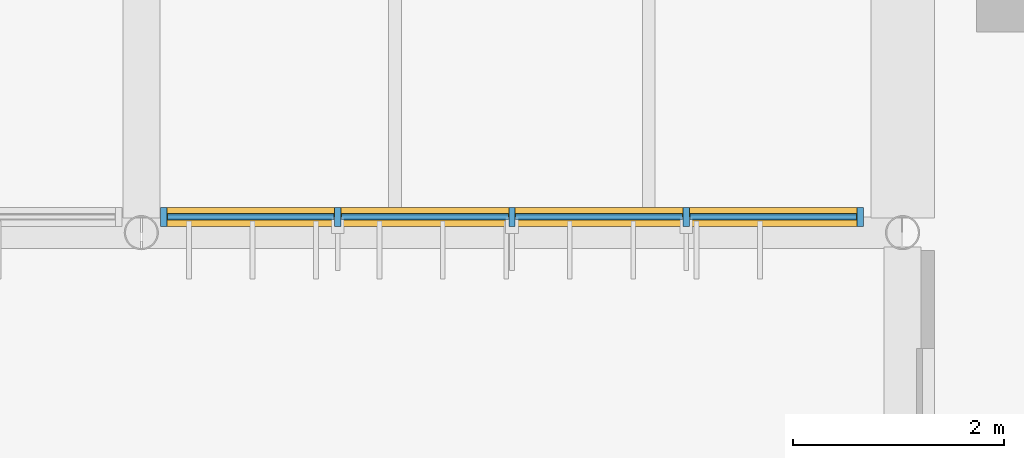
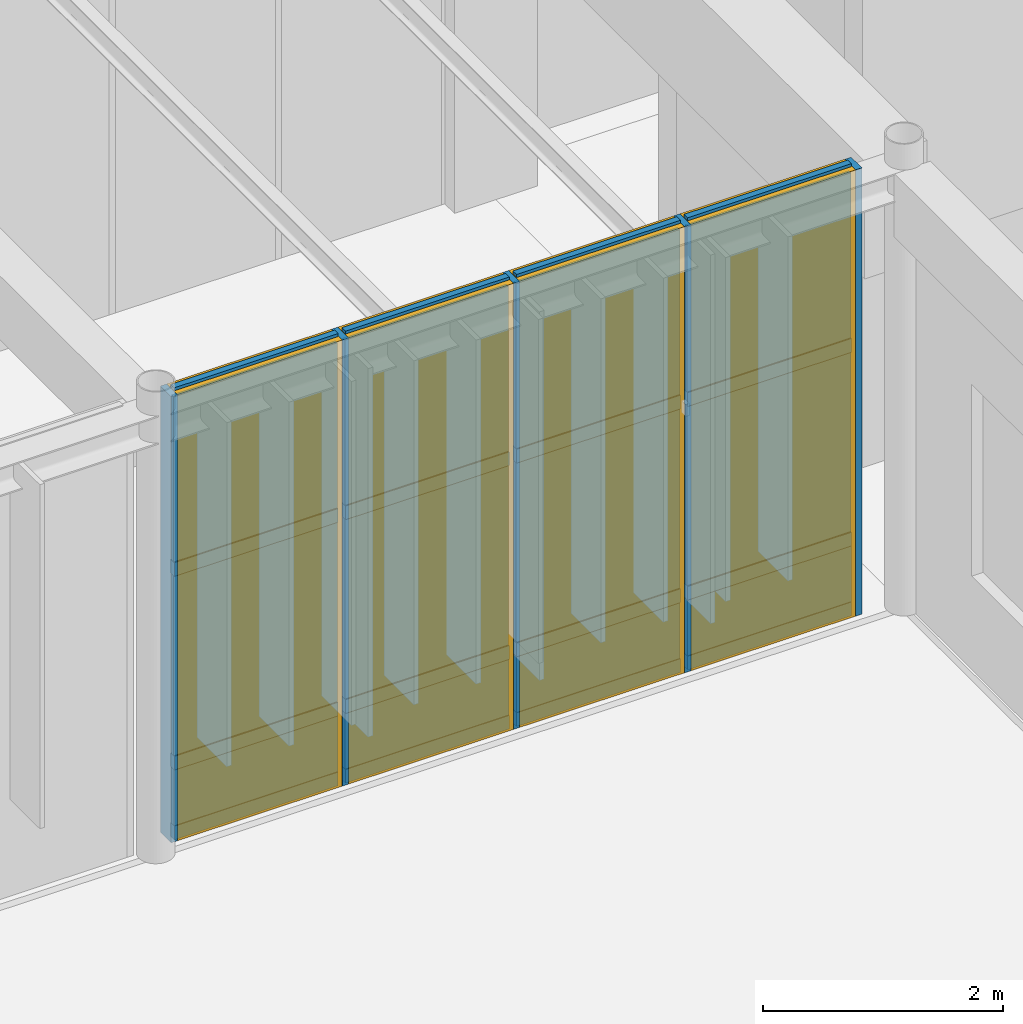
# One storey, part 73 of 122: 21 members, 12 plates, 1 curtain wall.
"""IFC4 building model written with IfcOpenShell, lengths in metres."""

from ifc_helpers import new_model, si_unit, direction, frame, frame_2d, origin, origin_2d, place, context, subcontext, project, spatial, rectangle, extrude, material, layer, layer_set, material_profile, profile_set, type_object, element, aggregate, save


model = new_model("IFC4")

# Units and contexts
model_context = context("Model", 3, precision=1e-05, world=origin(), true_north=direction((0.0, 1.0)))
body_context = subcontext(model_context, "Body", "Model", "MODEL_VIEW")
ifc_project = project(units=[si_unit("LENGTHUNIT", "METRE"), si_unit("AREAUNIT", "SQUARE_METRE"), si_unit("VOLUMEUNIT", "CUBIC_METRE"), si_unit("PLANEANGLEUNIT", "RADIAN"), si_unit("MASSUNIT", "GRAM", prefix="KILO")], contexts=[model_context])

# Member
ifc_material_1 = material(Name="Anodised Bronze Aluminium 6063-T6", Category="aluminium")
ifc_material_profile_1 = material_profile(ifc_material_1, rectangle(XDim=0.06005859375, YDim=0.179931640625, at=origin_2d()), Name="ALU MULLION 60x180")
ifc_profile_set_1 = profile_set([ifc_material_profile_1], Name="Anodised Bronze Aluminium 6063-T6")
member_type_1 = type_object("IfcMemberType", Name="Curtain-Wall Primary Mullion 60x180", PredefinedType="MULLION", material=ifc_profile_set_1)
site_placement = place(None, origin())
building_placement = place(site_placement, origin())
storey_placement = place(building_placement, origin())
member_1_placement = place(storey_placement, frame((50.612060546875, 44.75, 0.0), z_axis=(0.0, 0.0, 1.0), x_axis=(1.0, 0.0, 0.0)))
member_1 = element("IfcMember", 1, at=member_1_placement, type_object=member_type_1, Name="Mullion CWM-01 CW-WLNK-S-L00-B4-M01", PredefinedType="MULLION", context=body_context, shape_type="SweptSolid", body=[
    extrude(rectangle(XDim=0.06005859375, YDim=0.179931640625, at=origin_2d()), origin(), (0.0, 0.0, 1.0), 4.5400390625),
])

member_2_placement = place(storey_placement, frame((52.259033203125, 44.75, 0.0), z_axis=(0.0, 0.0, 1.0), x_axis=(1.0, 0.0, 0.0)))
member_2 = element("IfcMember", 2, at=member_2_placement, type_object=member_type_1, Name="Mullion CWM-01 CW-WLNK-S-L00-B4-M02", PredefinedType="MULLION", context=body_context, shape_type="SweptSolid", body=[
    extrude(rectangle(XDim=0.06005859375, YDim=0.179931640625, at=origin_2d()), origin(), (0.0, 0.0, 1.0), 4.5400390625),
])

member_3_placement = place(storey_placement, frame((53.906005859375, 44.75, 0.0), z_axis=(0.0, 0.0, 1.0), x_axis=(1.0, 0.0, 0.0)))
member_3 = element("IfcMember", 3, at=member_3_placement, type_object=member_type_1, Name="Mullion CWM-01 CW-WLNK-S-L00-B4-M03", PredefinedType="MULLION", context=body_context, shape_type="SweptSolid", body=[
    extrude(rectangle(XDim=0.06005859375, YDim=0.179931640625, at=origin_2d()), origin(), (0.0, 0.0, 1.0), 4.5400390625),
])

member_4_placement = place(storey_placement, frame((55.552978515625, 44.75, 0.0), z_axis=(0.0, 0.0, 1.0), x_axis=(1.0, 0.0, 0.0)))
member_4 = element("IfcMember", 4, at=member_4_placement, type_object=member_type_1, Name="Mullion CWM-01 CW-WLNK-S-L00-B4-M04", PredefinedType="MULLION", context=body_context, shape_type="SweptSolid", body=[
    extrude(rectangle(XDim=0.06005859375, YDim=0.179931640625, at=origin_2d()), origin(), (0.0, 0.0, 1.0), 4.5400390625),
])

member_5_placement = place(storey_placement, frame((57.199951171875, 44.75, 0.0), z_axis=(0.0, 0.0, 1.0), x_axis=(1.0, 0.0, 0.0)))
member_5 = element("IfcMember", 5, at=member_5_placement, type_object=member_type_1, Name="Mullion CWM-01 CW-WLNK-S-L00-B4-M05", PredefinedType="MULLION", context=body_context, shape_type="SweptSolid", body=[
    extrude(rectangle(XDim=0.06005859375, YDim=0.179931640625, at=origin_2d()), origin(), (0.0, 0.0, 1.0), 4.5400390625),
])

ifc_material_profile_2 = material_profile(ifc_material_1, rectangle(XDim=0.06005859375, YDim=0.139892578125, at=origin_2d()), Name="ALU TRANSOM 60x140")
ifc_profile_set_2 = profile_set([ifc_material_profile_2], Name="Anodised Bronze Aluminium 6063-T6")
member_type_2 = type_object("IfcMemberType", Name="Curtain-Wall Transom 60x140", PredefinedType="USERDEFINED", material=ifc_profile_set_2)
member_6_placement = place(storey_placement, frame((50.64697265625, 44.75, 0.0400390625), z_axis=(1.0, 0.0, 0.0), x_axis=(0.0, 1.0, 0.0)))
member_6 = element("IfcMember", 6, at=member_6_placement, type_object=member_type_2, Name="Transom CWT-01 CW-WLNK-S-L00-B4-T01.1", ObjectType="TRANSOM", PredefinedType="USERDEFINED", context=body_context, shape_type="SweptSolid", body=[
    extrude(rectangle(XDim=0.06005859375, YDim=0.139892578125, at=origin_2d()), origin(), (0.0, 0.0, 1.0), 1.5771484375),
])

member_7_placement = place(storey_placement, frame((50.64697265625, 44.75, 0.75), z_axis=(1.0, 0.0, 0.0), x_axis=(0.0, 1.0, 0.0)))
member_7 = element("IfcMember", 7, at=member_7_placement, type_object=member_type_2, Name="Transom CWT-01 CW-WLNK-S-L00-B4-T01.2", ObjectType="TRANSOM", PredefinedType="USERDEFINED", context=body_context, shape_type="SweptSolid", body=[
    extrude(rectangle(XDim=0.06005859375, YDim=0.139892578125, at=origin_2d()), origin(), (0.0, 0.0, 1.0), 1.5771484375),
])

member_8_placement = place(storey_placement, frame((50.64697265625, 44.75, 2.720703125), z_axis=(1.0, 0.0, 0.0), x_axis=(0.0, 1.0, 0.0)))
member_8 = element("IfcMember", 8, at=member_8_placement, type_object=member_type_2, Name="Transom CWT-01 CW-WLNK-S-L00-B4-T01.3", ObjectType="TRANSOM", PredefinedType="USERDEFINED", context=body_context, shape_type="SweptSolid", body=[
    extrude(rectangle(XDim=0.06005859375, YDim=0.139892578125, at=origin_2d()), origin(), (0.0, 0.0, 1.0), 1.5771484375),
])

member_9_placement = place(storey_placement, frame((50.64697265625, 44.75, 4.5), z_axis=(1.0, 0.0, 0.0), x_axis=(0.0, 1.0, 0.0)))
member_9 = element("IfcMember", 9, at=member_9_placement, type_object=member_type_2, Name="Transom CWT-01 CW-WLNK-S-L00-B4-T01.4", ObjectType="TRANSOM", PredefinedType="USERDEFINED", context=body_context, shape_type="SweptSolid", body=[
    extrude(rectangle(XDim=0.06005859375, YDim=0.139892578125, at=origin_2d()), origin(), (0.0, 0.0, 1.0), 1.5771484375),
])

member_10_placement = place(storey_placement, frame((52.2939453125, 44.75, 0.0400390625), z_axis=(1.0, 0.0, 0.0), x_axis=(0.0, 1.0, 0.0)))
member_10 = element("IfcMember", 10, at=member_10_placement, type_object=member_type_2, Name="Transom CWT-01 CW-WLNK-S-L00-B4-T02.1", ObjectType="TRANSOM", PredefinedType="USERDEFINED", context=body_context, shape_type="SweptSolid", body=[
    extrude(rectangle(XDim=0.06005859375, YDim=0.139892578125, at=origin_2d()), origin(), (0.0, 0.0, 1.0), 1.5771484375),
])

member_11_placement = place(storey_placement, frame((52.2939453125, 44.75, 0.75), z_axis=(1.0, 0.0, 0.0), x_axis=(0.0, 1.0, 0.0)))
member_11 = element("IfcMember", 11, at=member_11_placement, type_object=member_type_2, Name="Transom CWT-01 CW-WLNK-S-L00-B4-T02.2", ObjectType="TRANSOM", PredefinedType="USERDEFINED", context=body_context, shape_type="SweptSolid", body=[
    extrude(rectangle(XDim=0.06005859375, YDim=0.139892578125, at=origin_2d()), origin(), (0.0, 0.0, 1.0), 1.5771484375),
])

member_12_placement = place(storey_placement, frame((52.2939453125, 44.75, 2.720703125), z_axis=(1.0, 0.0, 0.0), x_axis=(0.0, 1.0, 0.0)))
member_12 = element("IfcMember", 12, at=member_12_placement, type_object=member_type_2, Name="Transom CWT-01 CW-WLNK-S-L00-B4-T02.3", ObjectType="TRANSOM", PredefinedType="USERDEFINED", context=body_context, shape_type="SweptSolid", body=[
    extrude(rectangle(XDim=0.06005859375, YDim=0.139892578125, at=origin_2d()), origin(), (0.0, 0.0, 1.0), 1.5771484375),
])

member_13_placement = place(storey_placement, frame((52.2939453125, 44.75, 4.5), z_axis=(1.0, 0.0, 0.0), x_axis=(0.0, 1.0, 0.0)))
member_13 = element("IfcMember", 13, at=member_13_placement, type_object=member_type_2, Name="Transom CWT-01 CW-WLNK-S-L00-B4-T02.4", ObjectType="TRANSOM", PredefinedType="USERDEFINED", context=body_context, shape_type="SweptSolid", body=[
    extrude(rectangle(XDim=0.06005859375, YDim=0.139892578125, at=origin_2d()), origin(), (0.0, 0.0, 1.0), 1.5771484375),
])

member_14_placement = place(storey_placement, frame((53.94091796875, 44.75, 0.0400390625), z_axis=(1.0, 0.0, 0.0), x_axis=(0.0, 1.0, 0.0)))
member_14 = element("IfcMember", 14, at=member_14_placement, type_object=member_type_2, Name="Transom CWT-01 CW-WLNK-S-L00-B4-T03.1", ObjectType="TRANSOM", PredefinedType="USERDEFINED", context=body_context, shape_type="SweptSolid", body=[
    extrude(rectangle(XDim=0.06005859375, YDim=0.139892578125, at=origin_2d()), origin(), (0.0, 0.0, 1.0), 1.5771484375),
])

member_15_placement = place(storey_placement, frame((53.94091796875, 44.75, 0.75), z_axis=(1.0, 0.0, 0.0), x_axis=(0.0, 1.0, 0.0)))
member_15 = element("IfcMember", 15, at=member_15_placement, type_object=member_type_2, Name="Transom CWT-01 CW-WLNK-S-L00-B4-T03.2", ObjectType="TRANSOM", PredefinedType="USERDEFINED", context=body_context, shape_type="SweptSolid", body=[
    extrude(rectangle(XDim=0.06005859375, YDim=0.139892578125, at=origin_2d()), origin(), (0.0, 0.0, 1.0), 1.5771484375),
])

member_16_placement = place(storey_placement, frame((53.94091796875, 44.75, 2.720703125), z_axis=(1.0, 0.0, 0.0), x_axis=(0.0, 1.0, 0.0)))
member_16 = element("IfcMember", 16, at=member_16_placement, type_object=member_type_2, Name="Transom CWT-01 CW-WLNK-S-L00-B4-T03.3", ObjectType="TRANSOM", PredefinedType="USERDEFINED", context=body_context, shape_type="SweptSolid", body=[
    extrude(rectangle(XDim=0.06005859375, YDim=0.139892578125, at=origin_2d()), origin(), (0.0, 0.0, 1.0), 1.5771484375),
])

member_17_placement = place(storey_placement, frame((53.94091796875, 44.75, 4.5), z_axis=(1.0, 0.0, 0.0), x_axis=(0.0, 1.0, 0.0)))
member_17 = element("IfcMember", 17, at=member_17_placement, type_object=member_type_2, Name="Transom CWT-01 CW-WLNK-S-L00-B4-T03.4", ObjectType="TRANSOM", PredefinedType="USERDEFINED", context=body_context, shape_type="SweptSolid", body=[
    extrude(rectangle(XDim=0.06005859375, YDim=0.139892578125, at=origin_2d()), origin(), (0.0, 0.0, 1.0), 1.5771484375),
])

member_18_placement = place(storey_placement, frame((55.587890625, 44.75, 0.0400390625), z_axis=(1.0, 0.0, 0.0), x_axis=(0.0, 1.0, 0.0)))
member_18 = element("IfcMember", 18, at=member_18_placement, type_object=member_type_2, Name="Transom CWT-01 CW-WLNK-S-L00-B4-T04.1", ObjectType="TRANSOM", PredefinedType="USERDEFINED", context=body_context, shape_type="SweptSolid", body=[
    extrude(rectangle(XDim=0.06005859375, YDim=0.139892578125, at=origin_2d()), origin(), (0.0, 0.0, 1.0), 1.5771484375),
])

member_19_placement = place(storey_placement, frame((55.587890625, 44.75, 0.75), z_axis=(1.0, 0.0, 0.0), x_axis=(0.0, 1.0, 0.0)))
member_19 = element("IfcMember", 19, at=member_19_placement, type_object=member_type_2, Name="Transom CWT-01 CW-WLNK-S-L00-B4-T04.2", ObjectType="TRANSOM", PredefinedType="USERDEFINED", context=body_context, shape_type="SweptSolid", body=[
    extrude(rectangle(XDim=0.06005859375, YDim=0.139892578125, at=origin_2d()), origin(), (0.0, 0.0, 1.0), 1.5771484375),
])

member_20_placement = place(storey_placement, frame((55.587890625, 44.75, 2.720703125), z_axis=(1.0, 0.0, 0.0), x_axis=(0.0, 1.0, 0.0)))
member_20 = element("IfcMember", 20, at=member_20_placement, type_object=member_type_2, Name="Transom CWT-01 CW-WLNK-S-L00-B4-T04.3", ObjectType="TRANSOM", PredefinedType="USERDEFINED", context=body_context, shape_type="SweptSolid", body=[
    extrude(rectangle(XDim=0.06005859375, YDim=0.139892578125, at=origin_2d()), origin(), (0.0, 0.0, 1.0), 1.5771484375),
])

member_21_placement = place(storey_placement, frame((55.587890625, 44.75, 4.5), z_axis=(1.0, 0.0, 0.0), x_axis=(0.0, 1.0, 0.0)))
member_21 = element("IfcMember", 21, at=member_21_placement, type_object=member_type_2, Name="Transom CWT-01 CW-WLNK-S-L00-B4-T04.4", ObjectType="TRANSOM", PredefinedType="USERDEFINED", context=body_context, shape_type="SweptSolid", body=[
    extrude(rectangle(XDim=0.06005859375, YDim=0.139892578125, at=origin_2d()), origin(), (0.0, 0.0, 1.0), 1.5771484375),
])

# Plate
ifc_material_2 = material(Name="Insulated Bronze Aluminium Spandrel Panel", Category="aluminium")
ifc_layer_1 = layer(ifc_material_2, 0.050048828125, Name="Insulated Bronze Aluminium Spandrel Panel")
ifc_layer_set_1 = layer_set([ifc_layer_1], Name="Insulated Bronze Aluminium Spandrel Panel")
plate_type_1 = type_object("IfcPlateType", Name="Insulated Anodised Aluminium Spandrel Cassette 50", PredefinedType="CURTAIN_PANEL", material=ifc_layer_set_1)
plate_1_placement = place(storey_placement, frame((51.435546875, 44.75, 0.070068359375), z_axis=(0.0, 0.0, 1.0), x_axis=(1.0, 0.0, 0.0)))
plate_1 = element("IfcPlate", 22, at=plate_1_placement, type_object=plate_type_1, Name="Curtain Panel CWP-03 CW-WLNK-S-L00-B4-P01.1", PredefinedType="CURTAIN_PANEL", context=body_context, shape_type="SweptSolid", body=[
    extrude(rectangle(XDim=1.576904296875, YDim=0.050048828125, at=origin_2d()), origin(), (0.0, 0.0, 1.0), 0.64990234375),
])

plate_2_placement = place(storey_placement, frame((53.08251953125, 44.75, 0.070068359375), z_axis=(0.0, 0.0, 1.0), x_axis=(1.0, 0.0, 0.0)))
plate_2 = element("IfcPlate", 23, at=plate_2_placement, type_object=plate_type_1, Name="Curtain Panel CWP-03 CW-WLNK-S-L00-B4-P02.1", PredefinedType="CURTAIN_PANEL", context=body_context, shape_type="SweptSolid", body=[
    extrude(rectangle(XDim=1.576904296875, YDim=0.050048828125, at=origin_2d()), origin(), (0.0, 0.0, 1.0), 0.64990234375),
])

plate_3_placement = place(storey_placement, frame((54.7294921875, 44.75, 0.070068359375), z_axis=(0.0, 0.0, 1.0), x_axis=(1.0, 0.0, 0.0)))
plate_3 = element("IfcPlate", 24, at=plate_3_placement, type_object=plate_type_1, Name="Curtain Panel CWP-03 CW-WLNK-S-L00-B4-P03.1", PredefinedType="CURTAIN_PANEL", context=body_context, shape_type="SweptSolid", body=[
    extrude(rectangle(XDim=1.576904296875, YDim=0.050048828125, at=origin_2d()), origin(), (0.0, 0.0, 1.0), 0.64990234375),
])

plate_4_placement = place(storey_placement, frame((56.37646484375, 44.75, 0.070068359375), z_axis=(0.0, 0.0, 1.0), x_axis=(1.0, 0.0, 0.0)))
plate_4 = element("IfcPlate", 25, at=plate_4_placement, type_object=plate_type_1, Name="Curtain Panel CWP-03 CW-WLNK-S-L00-B4-P04.1", PredefinedType="CURTAIN_PANEL", context=body_context, shape_type="SweptSolid", body=[
    extrude(rectangle(XDim=1.576904296875, YDim=0.050048828125, at=origin_2d()), origin(), (0.0, 0.0, 1.0), 0.64990234375),
])

ifc_material_3 = material(Name="Solar-Control Tempered Double Glazing", Category="glass")
ifc_layer_2 = layer(ifc_material_3, 0.0380859375, Name="Solar-Control Tempered Double Glazing")
ifc_layer_set_2 = layer_set([ifc_layer_2], Name="Solar-Control Tempered Double Glazing")
plate_type_2 = type_object("IfcPlateType", Name="Solar-Control Vision Glazing Unit 38", PredefinedType="CURTAIN_PANEL", material=ifc_layer_set_2)
plate_5_placement = place(storey_placement, frame((51.435546875, 44.75, 0.77978515625), z_axis=(0.0, 0.0, 1.0), x_axis=(1.0, 0.0, 0.0)))
plate_5 = element("IfcPlate", 26, at=plate_5_placement, type_object=plate_type_2, Name="Curtain Panel CWP-02 CW-WLNK-S-L00-B4-P01.2", PredefinedType="CURTAIN_PANEL", context=body_context, shape_type="SweptSolid", body=[
    extrude(rectangle(XDim=1.576904296875, YDim=0.0380859375, at=origin_2d()), origin(), (0.0, 0.0, 1.0), 1.910888671875),
])

plate_6_placement = place(storey_placement, frame((51.435546875, 44.75, 2.750732421875), z_axis=(0.0, 0.0, 1.0), x_axis=(1.0, 0.0, 0.0)))
plate_6 = element("IfcPlate", 27, at=plate_6_placement, type_object=plate_type_2, Name="Curtain Panel CWP-02 CW-WLNK-S-L00-B4-P01.3", PredefinedType="CURTAIN_PANEL", context=body_context, shape_type="SweptSolid", body=[
    extrude(rectangle(XDim=1.576904296875, YDim=0.0380859375, at=origin_2d()), origin(), (0.0, 0.0, 1.0), 1.71923828125),
])

plate_7_placement = place(storey_placement, frame((53.08251953125, 44.75, 0.77978515625), z_axis=(0.0, 0.0, 1.0), x_axis=(1.0, 0.0, 0.0)))
plate_7 = element("IfcPlate", 28, at=plate_7_placement, type_object=plate_type_2, Name="Curtain Panel CWP-02 CW-WLNK-S-L00-B4-P02.2", PredefinedType="CURTAIN_PANEL", context=body_context, shape_type="SweptSolid", body=[
    extrude(rectangle(XDim=1.576904296875, YDim=0.0380859375, at=origin_2d()), origin(), (0.0, 0.0, 1.0), 1.910888671875),
])

plate_8_placement = place(storey_placement, frame((53.08251953125, 44.75, 2.750732421875), z_axis=(0.0, 0.0, 1.0), x_axis=(1.0, 0.0, 0.0)))
plate_8 = element("IfcPlate", 29, at=plate_8_placement, type_object=plate_type_2, Name="Curtain Panel CWP-02 CW-WLNK-S-L00-B4-P02.3", PredefinedType="CURTAIN_PANEL", context=body_context, shape_type="SweptSolid", body=[
    extrude(rectangle(XDim=1.576904296875, YDim=0.0380859375, at=origin_2d()), origin(), (0.0, 0.0, 1.0), 1.71923828125),
])

plate_9_placement = place(storey_placement, frame((54.7294921875, 44.75, 0.77978515625), z_axis=(0.0, 0.0, 1.0), x_axis=(1.0, 0.0, 0.0)))
plate_9 = element("IfcPlate", 30, at=plate_9_placement, type_object=plate_type_2, Name="Curtain Panel CWP-02 CW-WLNK-S-L00-B4-P03.2", PredefinedType="CURTAIN_PANEL", context=body_context, shape_type="SweptSolid", body=[
    extrude(rectangle(XDim=1.576904296875, YDim=0.0380859375, at=origin_2d()), origin(), (0.0, 0.0, 1.0), 1.910888671875),
])

plate_10_placement = place(storey_placement, frame((54.7294921875, 44.75, 2.750732421875), z_axis=(0.0, 0.0, 1.0), x_axis=(1.0, 0.0, 0.0)))
plate_10 = element("IfcPlate", 31, at=plate_10_placement, type_object=plate_type_2, Name="Curtain Panel CWP-02 CW-WLNK-S-L00-B4-P03.3", PredefinedType="CURTAIN_PANEL", context=body_context, shape_type="SweptSolid", body=[
    extrude(rectangle(XDim=1.576904296875, YDim=0.0380859375, at=origin_2d()), origin(), (0.0, 0.0, 1.0), 1.71923828125),
])

plate_11_placement = place(storey_placement, frame((56.37646484375, 44.75, 0.77978515625), z_axis=(0.0, 0.0, 1.0), x_axis=(1.0, 0.0, 0.0)))
plate_11 = element("IfcPlate", 32, at=plate_11_placement, type_object=plate_type_2, Name="Curtain Panel CWP-02 CW-WLNK-S-L00-B4-P04.2", PredefinedType="CURTAIN_PANEL", context=body_context, shape_type="SweptSolid", body=[
    extrude(rectangle(XDim=1.576904296875, YDim=0.0380859375, at=origin_2d()), origin(), (0.0, 0.0, 1.0), 1.910888671875),
])

plate_12_placement = place(storey_placement, frame((56.37646484375, 44.75, 2.750732421875), z_axis=(0.0, 0.0, 1.0), x_axis=(1.0, 0.0, 0.0)))
plate_12 = element("IfcPlate", 33, at=plate_12_placement, type_object=plate_type_2, Name="Curtain Panel CWP-02 CW-WLNK-S-L00-B4-P04.3", PredefinedType="CURTAIN_PANEL", context=body_context, shape_type="SweptSolid", body=[
    extrude(rectangle(XDim=1.576904296875, YDim=0.0380859375, at=origin_2d()), origin(), (0.0, 0.0, 1.0), 1.71923828125),
])

# Site, building, storey
site = spatial("IfcSite", under=ifc_project, at=site_placement, CompositionType="ELEMENT")
building = spatial("IfcBuilding", under=site, at=building_placement, Name="Tazoul Stagehouse", CompositionType="ELEMENT")
storey = spatial("IfcBuildingStorey", under=building, at=storey_placement, Name="L00", CompositionType="ELEMENT", Elevation=0.0)

# Curtain wall
curtain_wall_type = type_object("IfcCurtainWallType", Name="Foyer Clear Solar-Control Curtain Wall", PredefinedType="NOTDEFINED", material=ifc_material_1)
curtain_wall_placement = place(storey_placement, frame((50.612060546875, 44.75, 0.0), z_axis=(0.0, 0.0, 1.0), x_axis=(1.0, 0.0, 0.0)))
curtain_wall = element("IfcCurtainWall", 34, at=curtain_wall_placement, inside=storey, type_object=curtain_wall_type, Name="L00 Curtain Wall CW-02 (CW-WLNK-S-L00-B4)", PredefinedType="NOTDEFINED", context=body_context, shape_type="SweptSolid", body=[
    extrude(rectangle(XDim=6.587890625, YDim=0.179931640625, at=frame_2d((3.2939453125, 0.0))), origin(), (0.0, 0.0, 1.0), 4.5400390625),
])

aggregate(curtain_wall, [member_1, member_2, member_3, member_4, member_5, member_6, member_7, member_8, member_9, plate_1, plate_5, plate_6, member_10, member_11, member_12, member_13, plate_2, plate_7, plate_8, member_14, member_15, member_16, member_17, plate_3, plate_9, plate_10, member_18, member_19, member_20, member_21, plate_4, plate_11, plate_12])

save(model, "model.ifc")
